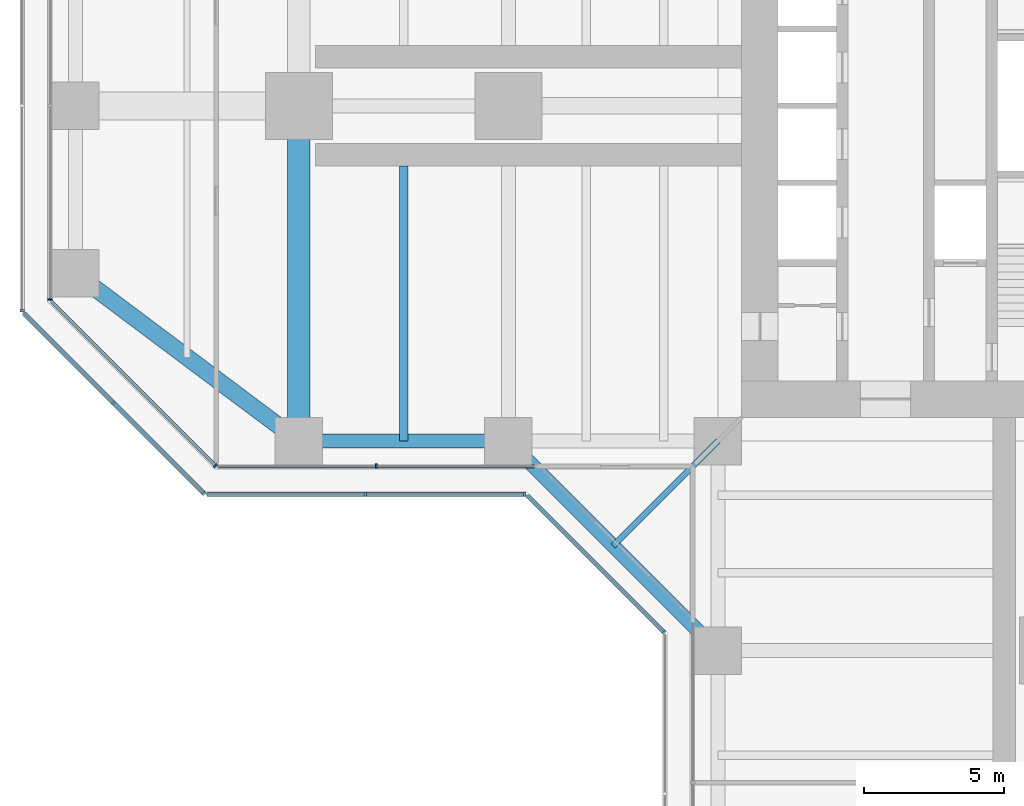
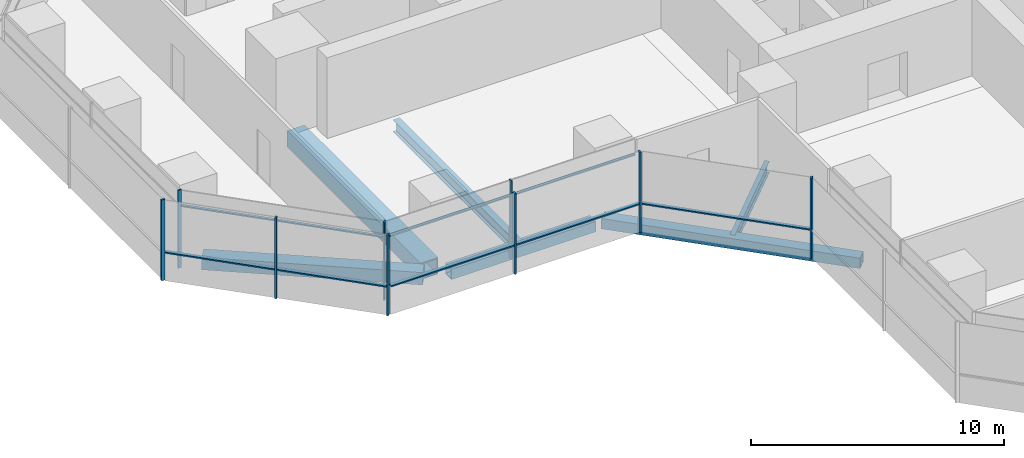
# One storey, part 3 of 22: 17 members, 6 beams, 7 elements without a shape of their own.
"""IFC4 building model written with IfcOpenShell, lengths in metres."""

import ifcopenshell
import ifcopenshell.guid

model = None  # the IFC model being written
_history = None  # IfcOwnerHistory: only IFC2X3 demands one
_inside = {}  # id of a spatial element -> (the spatial element, [elements in it])
_under = {}  # id of a project, library or spatial element -> (it, [spatial elements below it])
_declared = {}  # id of a project -> (the project, [libraries it declares])
_typed = {}  # id of a type object -> (the type object, [elements of that type])
_made_of = {}  # id of a material, layer set ... -> (it, [elements and type objects made of it])


def new_model(schema):
    """Start an empty IFC model of exactly this schema.

    Asked for "IFC4X3", IfcOpenShell would pick the latest addendum, in which some entities
    have other attributes; the version numbers below select the first issue.
    IFC2X3 requires an IfcOwnerHistory on every rooted entity: one is made here for all.
    """
    global model, _history
    if schema == "IFC4X3":
        model = ifcopenshell.file(schema_version=(4, 3, 0, 0))
    else:
        model = ifcopenshell.file(schema=schema)
    _inside.clear()
    _under.clear()
    _declared.clear()
    _typed.clear()
    _made_of.clear()
    _history = None
    if model.schema == "IFC2X3":
        org = make("IfcOrganization", Name="unknown")
        user = make(
            "IfcPersonAndOrganization",
            ThePerson=make("IfcPerson", FamilyName="unknown"),
            TheOrganization=org,
        )
        app = make(
            "IfcApplication",
            ApplicationDeveloper=org,
            Version="unknown",
            ApplicationFullName="unknown",
            ApplicationIdentifier="unknown",
        )
        _history = make(
            "IfcOwnerHistory",
            OwningUser=user,
            OwningApplication=app,
            ChangeAction="ADDED",
            CreationDate=0,
        )
    return model


def make(cls, **values):
    """One entity of the class cls with the attributes given. An attribute that is None is left unset."""
    return model.create_entity(
        cls, **{name: value for name, value in values.items() if value is not None}
    )


def rooted(cls, **values):
    """An entity with a GlobalId (a new one), such as an element, a storey or a relation."""
    return make(cls, GlobalId=ifcopenshell.guid.new(), OwnerHistory=_history, **values)


def si_unit(unit_type, name, prefix=None):
    """IfcSIUnit, for example si_unit("LENGTHUNIT", "METRE", prefix="MILLI")."""
    return make("IfcSIUnit", UnitType=unit_type, Prefix=prefix, Name=name)


def assignment(units):
    """IfcUnitAssignment: the units of a project."""
    return None if units is None else make("IfcUnitAssignment", Units=units)


def point(xyz):
    """IfcCartesianPoint."""
    return None if xyz is None else make("IfcCartesianPoint", Coordinates=xyz)


def direction(xyz):
    """IfcDirection."""
    return None if xyz is None else make("IfcDirection", DirectionRatios=xyz)


def frame(location, z_axis=None, x_axis=None):
    """IfcAxis2Placement3D, a coordinate frame: its origin and axes. An axis left out is left unset."""
    return make(
        "IfcAxis2Placement3D",
        Location=point(location),
        Axis=direction(z_axis),
        RefDirection=direction(x_axis),
    )


def frame_2d(location, x_axis=None):
    """IfcAxis2Placement2D, a coordinate frame in the plane: its origin and x axis."""
    return make(
        "IfcAxis2Placement2D", Location=point(location), RefDirection=direction(x_axis)
    )


def origin():
    """The frame at (0, 0, 0) with its axes left unset."""
    return frame((0.0, 0.0, 0.0))


def origin_2d():
    """The frame at (0, 0) in the plane with its x axis left unset."""
    return frame_2d((0.0, 0.0))


def place(relative_to, where):
    """IfcLocalPlacement: puts the frame where relative to a parent placement (None: the world)."""
    return make(
        "IfcLocalPlacement", PlacementRelTo=relative_to, RelativePlacement=where
    )


def context(
    kind, dimensions, precision=None, world=None, true_north=None, identifier=None
):
    """IfcGeometricRepresentationContext, for example the 3D "Model" context."""
    return make(
        "IfcGeometricRepresentationContext",
        ContextIdentifier=identifier,
        ContextType=kind,
        CoordinateSpaceDimension=dimensions,
        Precision=precision,
        WorldCoordinateSystem=world,
        TrueNorth=true_north,
    )


def subcontext(parent, identifier, kind, view, scale=None):
    """IfcGeometricRepresentationSubContext, for example "Body" below "Model"."""
    return make(
        "IfcGeometricRepresentationSubContext",
        ContextIdentifier=identifier,
        ContextType=kind,
        ParentContext=parent,
        TargetScale=scale,
        TargetView=view,
    )


def project(units=None, contexts=None):
    """IfcProject with its units and contexts."""
    return rooted(
        "IfcProject",
        Name="project",
        RepresentationContexts=contexts,
        UnitsInContext=assignment(units),
    )


def spatial(cls, under=None, at=None, **own):
    """A site, building, storey or space (cls), placed at a placement, below another one or the project."""
    s = rooted(cls, ObjectPlacement=at, **own)
    if under is not None:
        _under.setdefault(under.id(), (under, []))[1].append(s)
    return s


def profile(cls, at=None, kind="AREA", **sizes):
    """A parametric profile (cls). Its sizes go by their IFC names, for example OverallWidth=200.0."""
    return make(cls, ProfileType=kind, Position=at, **sizes)


def rectangle(**sizes):
    """IfcRectangleProfileDef."""
    return profile("IfcRectangleProfileDef", **sizes)


def hollow_rectangle(**sizes):
    """IfcRectangleHollowProfileDef."""
    return profile("IfcRectangleHollowProfileDef", **sizes)


def i_section(**sizes):
    """IfcIShapeProfileDef."""
    return profile("IfcIShapeProfileDef", **sizes)


def extrude(swept, where, along, depth):
    """IfcExtrudedAreaSolid: the profile swept, set in the frame where, extruded along a direction by depth."""
    return make(
        "IfcExtrudedAreaSolid",
        SweptArea=swept,
        Position=where,
        ExtrudedDirection=direction(along),
        Depth=depth,
    )


def shape(context_of_items, identifier, shape_type, items):
    """IfcShapeRepresentation: the items that make up one representation, for example the "Body"."""
    return make(
        "IfcShapeRepresentation",
        ContextOfItems=context_of_items,
        RepresentationIdentifier=identifier,
        RepresentationType=shape_type,
        Items=items,
    )


def material(Name=None, Category=None):
    """IfcMaterial."""
    return make("IfcMaterial", Name=Name, Category=Category)


def material_profile(
    of_material, cross_section, Name=None, Category=None, Priority=None
):
    """IfcMaterialProfile: a cross section and its material."""
    return make(
        "IfcMaterialProfile",
        Name=Name,
        Material=of_material,
        Profile=cross_section,
        Priority=Priority,
        Category=Category,
    )


def profile_set(profiles, Name=None, composite=None):
    """IfcMaterialProfileSet."""
    return make(
        "IfcMaterialProfileSet",
        Name=Name,
        MaterialProfiles=profiles,
        CompositeProfile=composite,
    )


def made_of(thing, what):
    """Note that an element or type object is made of a material, layer set ...; save() writes the relation."""
    if what is not None:
        _made_of.setdefault(what.id(), (what, []))[1].append(thing)
    return thing


def type_object(cls, material=None, **own):
    """A type object (cls), such as IfcWallType, which elements share."""
    return made_of(rooted(cls, **own), material)


def element(
    cls,
    number,
    at=None,
    inside=None,
    cuts=None,
    type_object=None,
    material=None,
    context=None,
    identifier="Body",
    shape_type=None,
    held_by="IfcProductDefinitionShape",
    body=None,
    shapes=None,
    **own,
):
    """One element of the class cls, such as IfcWall. Its Tag is "e" and its number.

    at: its placement. inside: the storey or other place that contains it. cuts: it is an
    opening in that element (IfcRelVoidsElement). A single representation is given by context,
    identifier, shape_type and body (its items); several are given by shapes. held_by: the class
    of the entity that holds the representations. save() writes the other relations.
    """
    e = rooted(cls, Tag="e%d" % number, ObjectPlacement=at, **own)
    if body is not None:
        shapes = [shape(context, identifier, shape_type, body)]
    if shapes is not None:
        e.Representation = make(held_by, Representations=shapes)
    if inside is not None:
        _inside.setdefault(inside.id(), (inside, []))[1].append(e)
    if cuts is not None:
        rooted(
            "IfcRelVoidsElement", RelatingBuildingElement=cuts, RelatedOpeningElement=e
        )
    if type_object is not None:
        _typed.setdefault(type_object.id(), (type_object, []))[1].append(e)
    return made_of(e, material)


def aggregate(whole, parts):
    """IfcRelAggregates: a whole, such as a stair, and the parts it consists of."""
    return rooted("IfcRelAggregates", RelatingObject=whole, RelatedObjects=parts)


def save(model, path):
    """Write the relations noted so far, then the file.

    IfcRelAggregates (storeys below a building ...), IfcRelContainedInSpatialStructure (elements
    in a storey), IfcRelDefinesByType, IfcRelAssociatesMaterial and IfcRelDeclares: one each for
    every whole, place, type object, material and project.
    """
    for whole, parts in _under.values():
        aggregate(whole, parts)
    for where, things in _inside.values():
        rooted(
            "IfcRelContainedInSpatialStructure",
            RelatedElements=things,
            RelatingStructure=where,
        )
    for kind, things in _typed.values():
        rooted("IfcRelDefinesByType", RelatedObjects=things, RelatingType=kind)
    for what, things in _made_of.values():
        rooted("IfcRelAssociatesMaterial", RelatedObjects=things, RelatingMaterial=what)
    for by, libraries in _declared.values():
        rooted("IfcRelDeclares", RelatingContext=by, RelatedDefinitions=libraries)
    model.write(path)


model = new_model("IFC4")

# Units and contexts
model_context = context("Model", 3, precision=1e-05, world=origin(), true_north=direction((0.0, 1.0)))
body_context = subcontext(model_context, "Body", "Model", "MODEL_VIEW")
ifc_project = project(units=[si_unit("LENGTHUNIT", "METRE"), si_unit("AREAUNIT", "SQUARE_METRE"), si_unit("VOLUMEUNIT", "CUBIC_METRE"), si_unit("PLANEANGLEUNIT", "RADIAN"), si_unit("MASSUNIT", "GRAM", prefix="KILO")], contexts=[model_context])

# Site, building, storey
site_placement = place(None, origin())
site = spatial("IfcSite", under=ifc_project, at=site_placement, CompositionType="ELEMENT")
building_placement = place(site_placement, origin())
building = spatial("IfcBuilding", under=site, at=building_placement, Name="Mizan Broadcast Tower", CompositionType="ELEMENT")
storey_placement = place(building_placement, frame((0.0, 0.0, 86.39990234375)))
storey = spatial("IfcBuildingStorey", under=building, at=storey_placement, Name="L18", CompositionType="ELEMENT", Elevation=86.39990234375)

# Beams
ifc_material_1 = material(Name="Steel S355", Category="steel")
ifc_material_profile_1 = material_profile(ifc_material_1, hollow_rectangle(XDim=0.5, YDim=0.5, WallThickness=0.030029296875, at=origin_2d()), Name="BOX 500x500x30")
ifc_profile_set_1 = profile_set([ifc_material_profile_1], Name="Steel S355")
beam_type_1 = type_object("IfcBeamType", Name="EDGE BEAM BOX 500x500x30", PredefinedType="SPANDREL", material=ifc_profile_set_1)
beam_1_placement = place(storey_placement, frame((-19.949951171875, -12.0, -0.3798828125), z_axis=(-1.0, 0.0, 0.0), x_axis=(0.0, -1.0, 0.0)))
element("IfcBeam", 1, at=beam_1_placement, inside=storey, type_object=beam_type_1, Name="Edge beam BOX 500x500x30 L18 west arm", PredefinedType="SPANDREL", context=body_context, shape_type="SweptSolid", body=[
    extrude(hollow_rectangle(XDim=0.5, YDim=0.5, WallThickness=0.030029296875, at=origin_2d()), origin(), (0.0, 0.0, 1.0), 6.60009765625),
])
beam_2_placement = place(storey_placement, frame((-19.5, -12.0, -0.3798828125), z_axis=(0.707106781187, -0.707106781187, 0.0), x_axis=(0.707106781187, 0.707106781187, 0.0)))
element("IfcBeam", 2, at=beam_2_placement, inside=storey, type_object=beam_type_1, Name="Winter garden edge beam L18 W", PredefinedType="SPANDREL", context=body_context, shape_type="SweptSolid", body=[
    extrude(hollow_rectangle(XDim=0.5, YDim=0.5, WallThickness=0.030029296875, at=origin_2d()), origin(), (0.0, 0.0, 1.0), 10.606689453125),
])
ifc_material_2 = material(Name="Steel S355", Category="steel")
ifc_material_profile_2 = material_profile(ifc_material_2, hollow_rectangle(XDim=0.60009765625, YDim=0.60009765625, WallThickness=0.030029296875, at=origin_2d()), Name="BOX 600x600x30")
ifc_profile_set_2 = profile_set([ifc_material_profile_2], Name="Steel S355")
beam_type_2 = type_object("IfcBeamType", Name="EDGE BEAM BOX 600x600x30", PredefinedType="SPANDREL", material=ifc_profile_set_2)
beam_3_placement = place(storey_placement, frame((-27.47998046875, -11.639892578125, -0.429931640625), z_axis=(-0.800013316712, 0.599982243973, 0.0), x_axis=(-0.599982243973, -0.800013316712, 0.0)))
element("IfcBeam", 3, at=beam_3_placement, inside=storey, type_object=beam_type_2, Name="Edge beam BOX 600x600x30 L18 west arm", PredefinedType="SPANDREL", context=body_context, shape_type="SweptSolid", body=[
    extrude(hollow_rectangle(XDim=0.60009765625, YDim=0.60009765625, WallThickness=0.030029296875, at=origin_2d()), origin(), (0.0, 0.0, 1.0), 8.7998046875),
])
ifc_material_3 = material(Name="Steel S460", Category="steel")
ifc_material_profile_3 = material_profile(ifc_material_3, hollow_rectangle(XDim=0.800048828125, YDim=0.800048828125, WallThickness=0.050048828125, at=origin_2d()), Name="BOX 800x800x50")
ifc_profile_set_3 = profile_set([ifc_material_profile_3], Name="Steel S460")
beam_type_3 = type_object("IfcBeamType", Name="GIRDER BOX 800x800x50", PredefinedType="BEAM", material=ifc_profile_set_3)
beam_4_placement = place(storey_placement, frame((-27.0, -11.280029296875, -0.52978515625), z_axis=(0.0, 1.0, 0.0), x_axis=(-1.0, 0.0, 0.0)))
element("IfcBeam", 4, at=beam_4_placement, inside=storey, type_object=beam_type_3, Name="Girder BOX 800x800x50 L18 west arm", PredefinedType="BEAM", context=body_context, shape_type="SweptSolid", body=[
    extrude(hollow_rectangle(XDim=0.800048828125, YDim=0.800048828125, WallThickness=0.050048828125, at=origin_2d()), origin(), (0.0, 0.0, 1.0), 10.56005859375),
])

# Curtain wall, member
ifc_material_4 = material(Name="Aluminium framed glazing", Category="aluminium")
curtain_wall_type_1 = type_object("IfcCurtainWallType", Name="INNER SKIN LOW ZONE", PredefinedType="USERDEFINED", material=ifc_material_4)
curtain_wall_1_placement = place(storey_placement, origin())
curtain_wall_1 = element("IfcCurtainWall", 5, at=curtain_wall_1_placement, inside=storey, type_object=curtain_wall_type_1, Name="Inner skin low zone L18 W end", ObjectType="INNER SKIN LOW ZONE", PredefinedType="USERDEFINED")
ifc_material_5 = material(Name="Aluminium, pale anodised", Category="aluminium")
ifc_material_profile_4 = material_profile(ifc_material_5, rectangle(XDim=0.159912109375, YDim=0.06005859375, at=origin_2d()), Name="MULLION 160x60")
ifc_profile_set_4 = profile_set([ifc_material_profile_4], Name="Aluminium, pale anodised")
member_type_1 = type_object("IfcMemberType", Name="INNER SKIN MULLION 60x160", PredefinedType="MULLION", material=ifc_profile_set_4)
member_1_placement = place(storey_placement, frame((-35.89990234375, -6.928466796875, 0.0), z_axis=(0.0, 0.0, 1.0), x_axis=(1.0, 0.0, 0.0)))
member_1 = element("IfcMember", 6, at=member_1_placement, type_object=member_type_1, Name="Inner skin low zone L18 W end mullion 3", PredefinedType="MULLION", context=body_context, shape_type="SweptSolid", body=[
    extrude(rectangle(XDim=0.159912109375, YDim=0.06005859375, at=origin_2d()), origin(), (0.0, 0.0, 1.0), 3.77001953125),
])
aggregate(curtain_wall_1, [member_1])

curtain_wall_2_placement = place(storey_placement, origin())
curtain_wall_2 = element("IfcCurtainWall", 7, at=curtain_wall_2_placement, inside=storey, type_object=curtain_wall_type_1, Name="Inner skin low zone L18 W chamfer", ObjectType="INNER SKIN LOW ZONE", PredefinedType="USERDEFINED")
member_2_placement = place(storey_placement, frame((-29.979736328125, -12.87890625, 0.0), z_axis=(0.0, 0.0, 1.0), x_axis=(0.707106781187, 0.707106781187, 0.0)))
member_2 = element("IfcMember", 8, at=member_2_placement, type_object=member_type_1, Name="Inner skin low zone L18 W chamfer mullion 2", PredefinedType="MULLION", context=body_context, shape_type="SweptSolid", body=[
    extrude(rectangle(XDim=0.159912109375, YDim=0.06005859375, at=origin_2d()), origin(), (0.0, 0.0, 1.0), 3.77001953125),
])

curtain_wall_3_placement = place(storey_placement, origin())
curtain_wall_3 = element("IfcCurtainWall", 9, at=curtain_wall_3_placement, inside=storey, type_object=curtain_wall_type_1, Name="Inner skin low zone L18 W side", ObjectType="INNER SKIN LOW ZONE", PredefinedType="USERDEFINED")
member_3_placement = place(storey_placement, frame((-24.229248046875, -12.89990234375, 0.0), z_axis=(0.0, 0.0, 1.0), x_axis=(0.0, 1.0, 0.0)))
member_3 = element("IfcMember", 10, at=member_3_placement, type_object=member_type_1, Name="Inner skin low zone L18 W side mullion 2", PredefinedType="MULLION", context=body_context, shape_type="SweptSolid", body=[
    extrude(rectangle(XDim=0.159912109375, YDim=0.06005859375, at=origin_2d()), origin(), (0.0, 0.0, 1.0), 3.77001953125),
])

# Member
ifc_material_6 = material(Name="Aluminium, pale anodised", Category="aluminium")
ifc_material_profile_5 = material_profile(ifc_material_6, rectangle(XDim=0.1201171875, YDim=0.06005859375, at=origin_2d()), Name="TRANSOM 120x60")
ifc_profile_set_5 = profile_set([ifc_material_profile_5], Name="Aluminium, pale anodised")
member_type_2 = type_object("IfcMemberType", Name="INNER SKIN TRANSOM 60x120", PredefinedType="USERDEFINED", material=ifc_profile_set_5)
member_4_placement = place(storey_placement, frame((-35.857666015625, -7.0009765625, 3.030029296875), z_axis=(0.707106781187, -0.707106781187, 0.0), x_axis=(0.707106781187, 0.707106781187, 0.0)))
member_4 = element("IfcMember", 11, at=member_4_placement, type_object=member_type_2, Name="Inner skin low zone L18 W chamfer transom 1.1", ObjectType="TRANSOM", PredefinedType="USERDEFINED", context=body_context, shape_type="SweptSolid", body=[
    extrude(rectangle(XDim=0.1201171875, YDim=0.06005859375, at=origin_2d()), origin(), (0.0, 0.0, 1.0), 8.28271484375),
])

aggregate(curtain_wall_2, [member_2, member_4])

member_5_placement = place(storey_placement, frame((-29.898681640625, -12.89990234375, 3.030029296875), z_axis=(1.0, 0.0, 0.0), x_axis=(0.0, 1.0, 0.0)))
member_5 = element("IfcMember", 12, at=member_5_placement, type_object=member_type_2, Name="Inner skin low zone L18 W side transom 1.1", ObjectType="TRANSOM", PredefinedType="USERDEFINED", context=body_context, shape_type="SweptSolid", body=[
    extrude(rectangle(XDim=0.1201171875, YDim=0.06005859375, at=origin_2d()), origin(), (0.0, 0.0, 1.0), 5.639404296875),
])

member_6_placement = place(storey_placement, frame((-24.19921875, -12.89990234375, 3.030029296875), z_axis=(1.0, 0.0, 0.0), x_axis=(0.0, 1.0, 0.0)))
member_6 = element("IfcMember", 13, at=member_6_placement, type_object=member_type_2, Name="Inner skin low zone L18 W side transom 2.1", ObjectType="TRANSOM", PredefinedType="USERDEFINED", context=body_context, shape_type="SweptSolid", body=[
    extrude(rectangle(XDim=0.1201171875, YDim=0.06005859375, at=origin_2d()), origin(), (0.0, 0.0, 1.0), 5.63916015625),
])

aggregate(curtain_wall_3, [member_3, member_5, member_6])

# Curtain wall, member
ifc_material_7 = material(Name="Aluminium framed glazing", Category="aluminium")
curtain_wall_type_2 = type_object("IfcCurtainWallType", Name="OUTER SKIN", PredefinedType="USERDEFINED", material=ifc_material_7)
curtain_wall_4_placement = place(storey_placement, origin())
curtain_wall_4 = element("IfcCurtainWall", 14, at=curtain_wall_4_placement, inside=storey, type_object=curtain_wall_type_2, Name="Outer skin L18 W end", ObjectType="OUTER SKIN", PredefinedType="USERDEFINED")
ifc_material_8 = material(Name="Aluminium, pale anodised", Category="aluminium")
ifc_material_profile_6 = material_profile(ifc_material_8, rectangle(XDim=0.159912109375, YDim=0.080078125, at=origin_2d()), Name="MULLION 160x80")
ifc_profile_set_6 = profile_set([ifc_material_profile_6], Name="Aluminium, pale anodised")
member_type_3 = type_object("IfcMemberType", Name="OUTER SKIN MULLION 80x160", PredefinedType="MULLION", material=ifc_profile_set_6)
member_7_placement = place(storey_placement, frame((-36.89990234375, -7.332763671875, 0.0), z_axis=(0.0, 0.0, 1.0), x_axis=(1.0, 0.0, 0.0)))
member_7 = element("IfcMember", 15, at=member_7_placement, type_object=member_type_3, Name="Outer skin L18 W end mullion 3", PredefinedType="MULLION", context=body_context, shape_type="SweptSolid", body=[
    extrude(rectangle(XDim=0.159912109375, YDim=0.080078125, at=origin_2d()), origin(), (0.0, 0.0, 1.0), 3.900146484375),
])
aggregate(curtain_wall_4, [member_7])

# Curtain wall, members
curtain_wall_5_placement = place(storey_placement, origin())
curtain_wall_5 = element("IfcCurtainWall", 16, at=curtain_wall_5_placement, inside=storey, type_object=curtain_wall_type_2, Name="Outer skin L18 W chamfer", ObjectType="OUTER SKIN", PredefinedType="USERDEFINED")
member_8_placement = place(storey_placement, frame((-33.636474609375, -10.636474609375, 0.0), z_axis=(0.0, 0.0, 1.0), x_axis=(0.707106781187, 0.707106781187, 0.0)))
member_8 = element("IfcMember", 17, at=member_8_placement, type_object=member_type_3, Name="Outer skin L18 W chamfer mullion 2", PredefinedType="MULLION", context=body_context, shape_type="SweptSolid", body=[
    extrude(rectangle(XDim=0.159912109375, YDim=0.080078125, at=origin_2d()), origin(), (0.0, 0.0, 1.0), 3.900146484375),
])
member_9_placement = place(storey_placement, frame((-30.401123046875, -13.871826171875, 0.0), z_axis=(0.0, 0.0, 1.0), x_axis=(0.707106781187, 0.707106781187, 0.0)))
member_9 = element("IfcMember", 18, at=member_9_placement, type_object=member_type_3, Name="Outer skin L18 W chamfer mullion 3", PredefinedType="MULLION", context=body_context, shape_type="SweptSolid", body=[
    extrude(rectangle(XDim=0.159912109375, YDim=0.080078125, at=origin_2d()), origin(), (0.0, 0.0, 1.0), 3.900146484375),
])

curtain_wall_6_placement = place(storey_placement, origin())
curtain_wall_6 = element("IfcCurtainWall", 19, at=curtain_wall_6_placement, inside=storey, type_object=curtain_wall_type_2, Name="Outer skin L18 W side", ObjectType="OUTER SKIN", PredefinedType="USERDEFINED")
member_10_placement = place(storey_placement, frame((-24.622802734375, -13.89990234375, 0.0), z_axis=(0.0, 0.0, 1.0), x_axis=(0.0, 1.0, 0.0)))
member_10 = element("IfcMember", 20, at=member_10_placement, type_object=member_type_3, Name="Outer skin L18 W side mullion 2", PredefinedType="MULLION", context=body_context, shape_type="SweptSolid", body=[
    extrude(rectangle(XDim=0.159912109375, YDim=0.080078125, at=origin_2d()), origin(), (0.0, 0.0, 1.0), 3.900146484375),
])
member_11_placement = place(storey_placement, frame((-18.912841796875, -13.89990234375, 0.0), z_axis=(0.0, 0.0, 1.0), x_axis=(0.0, 1.0, 0.0)))
member_11 = element("IfcMember", 21, at=member_11_placement, type_object=member_type_3, Name="Outer skin L18 W side mullion 3", PredefinedType="MULLION", context=body_context, shape_type="SweptSolid", body=[
    extrude(rectangle(XDim=0.159912109375, YDim=0.080078125, at=origin_2d()), origin(), (0.0, 0.0, 1.0), 3.900146484375),
])

# Curtain wall, member
curtain_wall_7_placement = place(storey_placement, origin())
curtain_wall_7 = element("IfcCurtainWall", 22, at=curtain_wall_7_placement, inside=storey, type_object=curtain_wall_type_2, Name="Outer skin L18 W chamfer", ObjectType="OUTER SKIN", PredefinedType="USERDEFINED")
member_12_placement = place(storey_placement, frame((-13.92822265625, -18.844482421875, 0.0), z_axis=(0.0, 0.0, 1.0), x_axis=(0.707106781187, 0.707106781187, 0.0)))
member_12 = element("IfcMember", 23, at=member_12_placement, type_object=member_type_3, Name="Outer skin L18 W chamfer mullion 2", PredefinedType="MULLION", context=body_context, shape_type="SweptSolid", body=[
    extrude(rectangle(XDim=0.159912109375, YDim=0.080078125, at=origin_2d()), origin(), (0.0, 0.0, 1.0), 3.900146484375),
])

# Member
ifc_material_9 = material(Name="Aluminium, pale anodised", Category="aluminium")
ifc_material_profile_7 = material_profile(ifc_material_9, rectangle(XDim=0.159912109375, YDim=0.06005859375, at=origin_2d()), Name="TRANSOM 160x60")
ifc_profile_set_7 = profile_set([ifc_material_profile_7], Name="Aluminium, pale anodised")
member_type_4 = type_object("IfcMemberType", Name="OUTER SKIN TRANSOM 60x160", PredefinedType="USERDEFINED", material=ifc_profile_set_7)
member_13_placement = place(storey_placement, frame((-36.843505859375, -7.429443359375, 1.400146484375), z_axis=(0.707106781187, -0.707106781187, 0.0), x_axis=(0.707106781187, 0.707106781187, 0.0)))
member_13 = element("IfcMember", 24, at=member_13_placement, type_object=member_type_4, Name="Outer skin L18 W chamfer transom 1.1", ObjectType="TRANSOM", PredefinedType="USERDEFINED", context=body_context, shape_type="SweptSolid", body=[
    extrude(rectangle(XDim=0.159912109375, YDim=0.06005859375, at=origin_2d()), origin(), (0.0, 0.0, 1.0), 4.495361328125),
])

member_14_placement = place(storey_placement, frame((-33.608154296875, -10.664794921875, 1.400146484375), z_axis=(0.707106781187, -0.707106781187, 0.0), x_axis=(0.707106781187, 0.707106781187, 0.0)))
member_14 = element("IfcMember", 25, at=member_14_placement, type_object=member_type_4, Name="Outer skin L18 W chamfer transom 2.1", ObjectType="TRANSOM", PredefinedType="USERDEFINED", context=body_context, shape_type="SweptSolid", body=[
    extrude(rectangle(XDim=0.159912109375, YDim=0.06005859375, at=origin_2d()), origin(), (0.0, 0.0, 1.0), 4.495361328125),
])

aggregate(curtain_wall_5, [member_8, member_9, member_13, member_14])

member_15_placement = place(storey_placement, frame((-30.292724609375, -13.89990234375, 1.400146484375), z_axis=(1.0, 0.0, 0.0), x_axis=(0.0, 1.0, 0.0)))
member_15 = element("IfcMember", 26, at=member_15_placement, type_object=member_type_4, Name="Outer skin L18 W side transom 1.1", ObjectType="TRANSOM", PredefinedType="USERDEFINED", context=body_context, shape_type="SweptSolid", body=[
    extrude(rectangle(XDim=0.159912109375, YDim=0.06005859375, at=origin_2d()), origin(), (0.0, 0.0, 1.0), 5.6298828125),
])

member_16_placement = place(storey_placement, frame((-24.582763671875, -13.89990234375, 1.400146484375), z_axis=(1.0, 0.0, 0.0), x_axis=(0.0, 1.0, 0.0)))
member_16 = element("IfcMember", 27, at=member_16_placement, type_object=member_type_4, Name="Outer skin L18 W side transom 2.1", ObjectType="TRANSOM", PredefinedType="USERDEFINED", context=body_context, shape_type="SweptSolid", body=[
    extrude(rectangle(XDim=0.159912109375, YDim=0.06005859375, at=origin_2d()), origin(), (0.0, 0.0, 1.0), 5.6298828125),
])

aggregate(curtain_wall_6, [member_10, member_11, member_15, member_16])

member_17_placement = place(storey_placement, frame((-18.816162109375, -13.95654296875, 1.400146484375), z_axis=(0.707106781187, -0.707106781187, 0.0), x_axis=(0.707106781187, 0.707106781187, 0.0)))
member_17 = element("IfcMember", 28, at=member_17_placement, type_object=member_type_4, Name="Outer skin L18 W chamfer transom 1.1", ObjectType="TRANSOM", PredefinedType="USERDEFINED", context=body_context, shape_type="SweptSolid", body=[
    extrude(rectangle(XDim=0.159912109375, YDim=0.06005859375, at=origin_2d()), origin(), (0.0, 0.0, 1.0), 6.87255859375),
])

aggregate(curtain_wall_7, [member_12, member_17])

# Beams
ifc_material_10 = material(Name="Steel S355", Category="steel")
ifc_material_profile_8 = material_profile(ifc_material_10, i_section(OverallWidth=0.300048828125, OverallDepth=0.590087890625, WebThickness=0.012939453125, FlangeThickness=0.02490234375, FilletRadius=0.027099609375, at=origin_2d()), Name="HEA 600")
ifc_profile_set_8 = profile_set([ifc_material_profile_8], Name="Steel S355")
beam_type_4 = type_object("IfcBeamType", Name="SECONDARY BEAM HEA 600", PredefinedType="JOIST", material=ifc_profile_set_8)
beam_5_placement = place(storey_placement, frame((-23.25, -12.0, -0.4248046875), z_axis=(0.0, 1.0, 0.0), x_axis=(-1.0, 0.0, 0.0)))
element("IfcBeam", 29, at=beam_5_placement, inside=storey, type_object=beam_type_4, Name="Secondary beam HEA 600 L18 west arm", PredefinedType="JOIST", context=body_context, shape_type="SweptSolid", body=[
    extrude(i_section(OverallWidth=0.300048828125, OverallDepth=0.590087890625, WebThickness=0.012939453125, FlangeThickness=0.02490234375, FilletRadius=0.027099609375, at=origin_2d()), origin(), (0.0, 0.0, 1.0), 9.85009765625),
])
ifc_material_11 = material(Name="Steel S355", Category="steel")
ifc_material_profile_9 = material_profile(ifc_material_11, i_section(OverallWidth=0.2099609375, OverallDepth=0.550048828125, WebThickness=0.010986328125, FlangeThickness=0.01708984375, FilletRadius=0.02392578125, at=origin_2d()), Name="IPE 550")
ifc_profile_set_9 = profile_set([ifc_material_profile_9], Name="Steel S355")
beam_type_5 = type_object("IfcBeamType", Name="SECONDARY BEAM IPE 550", PredefinedType="JOIST", material=ifc_profile_set_9)
beam_6_placement = place(storey_placement, frame((-12.0, -12.0, -0.40478515625), z_axis=(-0.707106781187, -0.707106781187, 0.0), x_axis=(0.707106781187, -0.707106781187, 0.0)))
element("IfcBeam", 30, at=beam_6_placement, inside=storey, type_object=beam_type_5, Name="Winter garden beam L18 W", PredefinedType="JOIST", context=body_context, shape_type="SweptSolid", body=[
    extrude(i_section(OverallWidth=0.2099609375, OverallDepth=0.550048828125, WebThickness=0.010986328125, FlangeThickness=0.01708984375, FilletRadius=0.02392578125, at=origin_2d()), origin(), (0.0, 0.0, 1.0), 5.30322265625),
])

save(model, "model.ifc")
